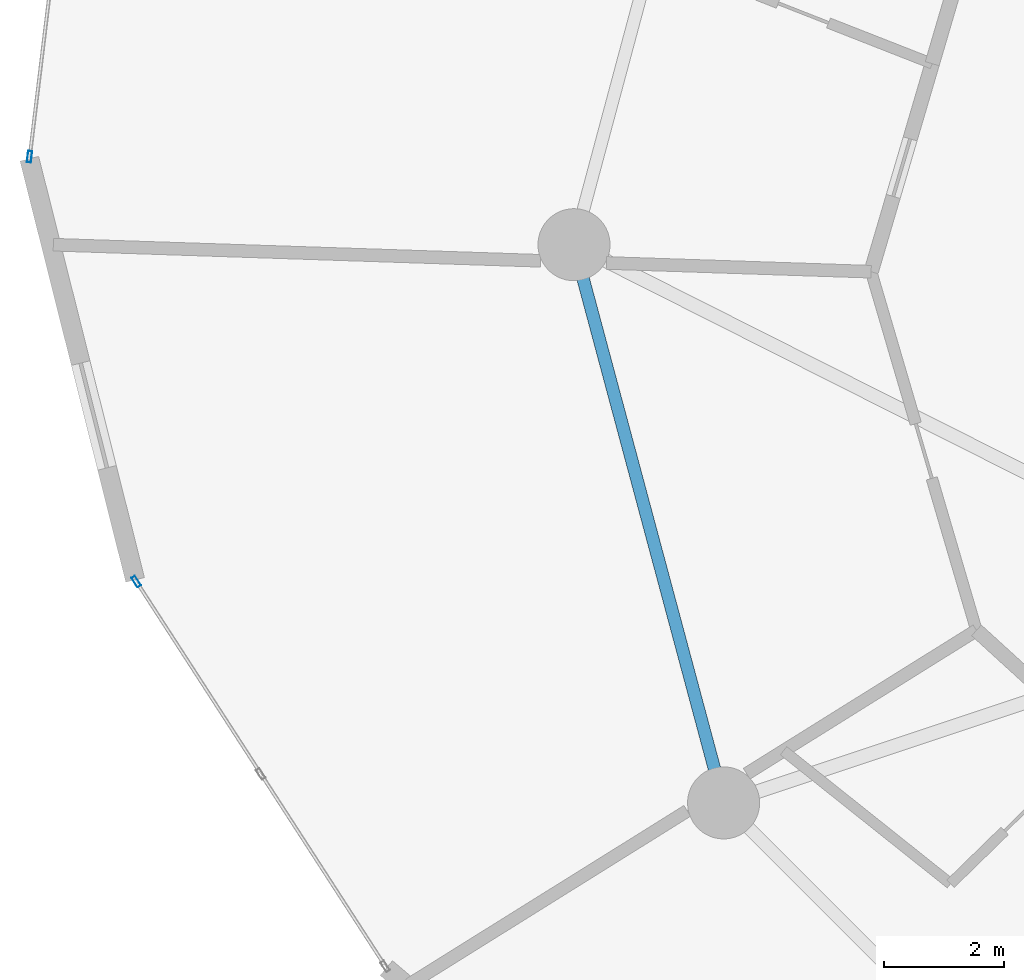
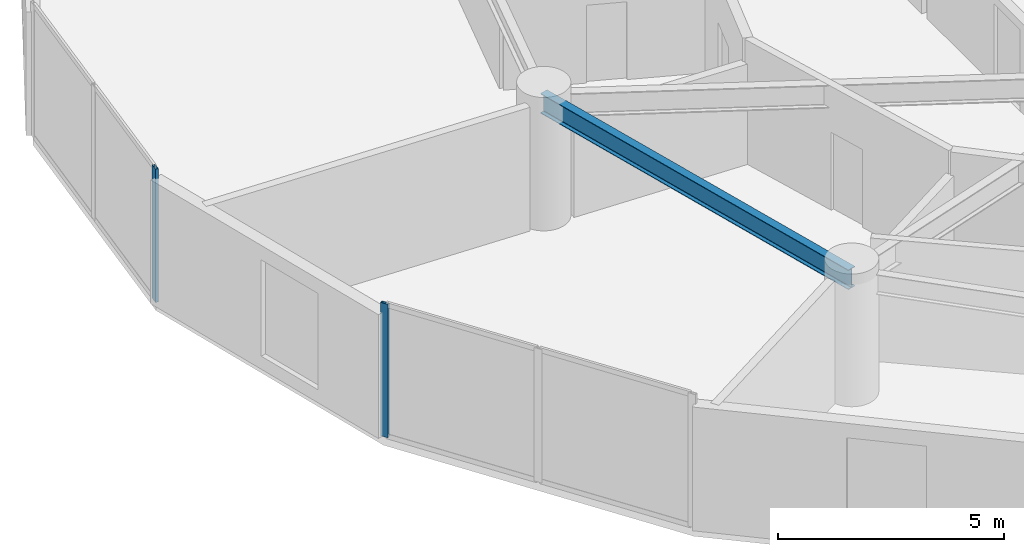
# One storey, part 6 of 26: 2 members, 1 beam, 2 elements without a shape of their own.
"""IFC4 building model written with IfcOpenShell, lengths in metres."""

from ifc_helpers import new_model, si_unit, direction, frame, origin, origin_2d, place, context, subcontext, project, spatial, hollow_rectangle, i_section, extrude, source, transform, mapped, material, layer, layer_set, material_profile, profile_set, type_object, element, aggregate, save


model = new_model("IFC4")

# Units and contexts
model_context = context("Model", 3, precision=1e-05, world=origin(), true_north=direction((0.0, 1.0)))
body_context = subcontext(model_context, "Body", "Model", "MODEL_VIEW")
ifc_project = project(units=[si_unit("LENGTHUNIT", "METRE"), si_unit("AREAUNIT", "SQUARE_METRE"), si_unit("VOLUMEUNIT", "CUBIC_METRE"), si_unit("PLANEANGLEUNIT", "RADIAN"), si_unit("MASSUNIT", "GRAM", prefix="KILO")], contexts=[model_context])

# Site, building, storey
site_placement = place(None, origin())
site = spatial("IfcSite", under=ifc_project, at=site_placement, CompositionType="ELEMENT")
building_placement = place(site_placement, origin())
building = spatial("IfcBuilding", under=site, at=building_placement, Name="Solvirekh Grand Hotel", CompositionType="ELEMENT")
storey_placement = place(building_placement, frame((0.0, 0.0, 68.0)))
storey = spatial("IfcBuildingStorey", under=building, at=storey_placement, Name="L16", CompositionType="ELEMENT", Elevation=68.0)

# Beam
ifc_material_1 = material(Name="Steel S355", Category="steel")
ifc_material_profile_1 = material_profile(ifc_material_1, i_section(OverallWidth=0.208984375, OverallDepth=0.532958984375, WebThickness=0.010009765625, FlangeThickness=0.014892578125, FilletRadius=0.013916015625, at=origin_2d()), Name="W530X92")
ifc_profile_set_1 = profile_set([ifc_material_profile_1], Name="Steel S355")
beam_type = type_object("IfcBeamType", Name="Spandrel_Ring_W530", PredefinedType="SPANDREL", material=ifc_profile_set_1)
beam_placement = place(storey_placement, frame((-18.60009765625, 0.0, 3.073974609375), z_axis=(0.258842973314, -0.965919414426, 0.0), x_axis=(0.965919414426, 0.258842973314, 0.0)))
element("IfcBeam", 1, at=beam_placement, inside=storey, type_object=beam_type, Name="L16 perimeter spandrel beam 7", PredefinedType="SPANDREL", context=body_context, shape_type="SweptSolid", body=[
    extrude(i_section(OverallWidth=0.208984375, OverallDepth=0.532958984375, WebThickness=0.010009765625, FlangeThickness=0.014892578125, FilletRadius=0.013916015625, at=origin_2d()), origin(), (0.0, 0.0, 1.0), 9.628173828125),
])

# Curtain wall, member
ifc_material_2 = material(Name="Anodized Bronze Aluminium 6063-T6", Category="aluminium")
ifc_layer = layer(ifc_material_2, 0.18994140625)
ifc_layer_set = layer_set([ifc_layer], Name="Anodized Bronze Aluminium 6063-T6")
curtain_wall_type = type_object("IfcCurtainWallType", Name="CW_Sys2_LowZoneFlushBronzeCW", PredefinedType="NOTDEFINED", material=ifc_layer_set)
curtain_wall_1_placement = place(storey_placement, origin())
curtain_wall_1 = element("IfcCurtainWall", 2, at=curtain_wall_1_placement, inside=storey, type_object=curtain_wall_type, Name="L16 unitised bronze-glass curtain wall CW-L16-C11", PredefinedType="NOTDEFINED")
ifc_material_profile_2 = material_profile(ifc_material_2, hollow_rectangle(XDim=0.070068359375, YDim=0.18994140625, WallThickness=0.0048828125, at=origin_2d()), Name="ALU RHS 190X70X5")
ifc_profile_set_2 = profile_set([ifc_material_profile_2], Name="Anodized Bronze Aluminium 6063-T6")
member_type = type_object("IfcMemberType", Name="CWMullion_Sys2", PredefinedType="MULLION", material=ifc_profile_set_2)
shared_shape = source(origin(), body_context, "Body", "SweptSolid", [
    extrude(hollow_rectangle(XDim=0.070068359375, YDim=0.18994140625, WallThickness=0.0048828125, at=origin_2d()), origin(), (0.0, 0.0, 1.0), 3.60009765625),
])
member_1_placement = place(storey_placement, frame((-27.6708984375, 1.466796875, 0.0), z_axis=(0.0, 0.0, 1.0), x_axis=(0.992707104248, -0.12055125539, 0.0)))
member_1 = element("IfcMember", 3, at=member_1_placement, type_object=member_type, Name="U02 mullion 3", PredefinedType="MULLION", context=body_context, shape_type="MappedRepresentation", body=[
    mapped(shared_shape, transform((0.0, 0.0, 0.0), x_axis=(1.0, 0.0, 0.0), y_axis=(0.0, 1.0, 0.0), z_axis=(0.0, 0.0, 1.0), scale=1.0)),
])
aggregate(curtain_wall_1, [member_1])

curtain_wall_2_placement = place(storey_placement, origin())
curtain_wall_2 = element("IfcCurtainWall", 4, at=curtain_wall_2_placement, inside=storey, type_object=curtain_wall_type, Name="L16 unitised bronze-glass curtain wall CW-L16-C13", PredefinedType="NOTDEFINED")
member_2_placement = place(storey_placement, frame((-25.89404296875, -5.6123046875, 0.0), z_axis=(0.0, 0.0, 1.0), x_axis=(0.839559711127, 0.543267421675, 0.0)))
member_2 = element("IfcMember", 5, at=member_2_placement, type_object=member_type, Name="U02 mullion 1", PredefinedType="MULLION", context=body_context, shape_type="MappedRepresentation", body=[
    mapped(shared_shape, transform((0.0, 0.0, 0.0), x_axis=(1.0, 0.0, 0.0), y_axis=(0.0, 1.0, 0.0), z_axis=(0.0, 0.0, 1.0), scale=1.0)),
])
aggregate(curtain_wall_2, [member_2])

save(model, "model.ifc")
